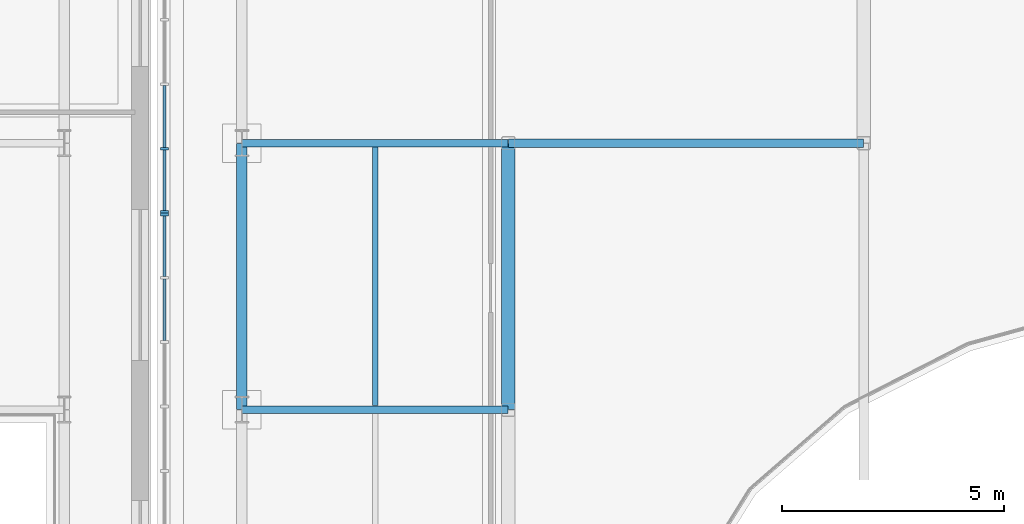
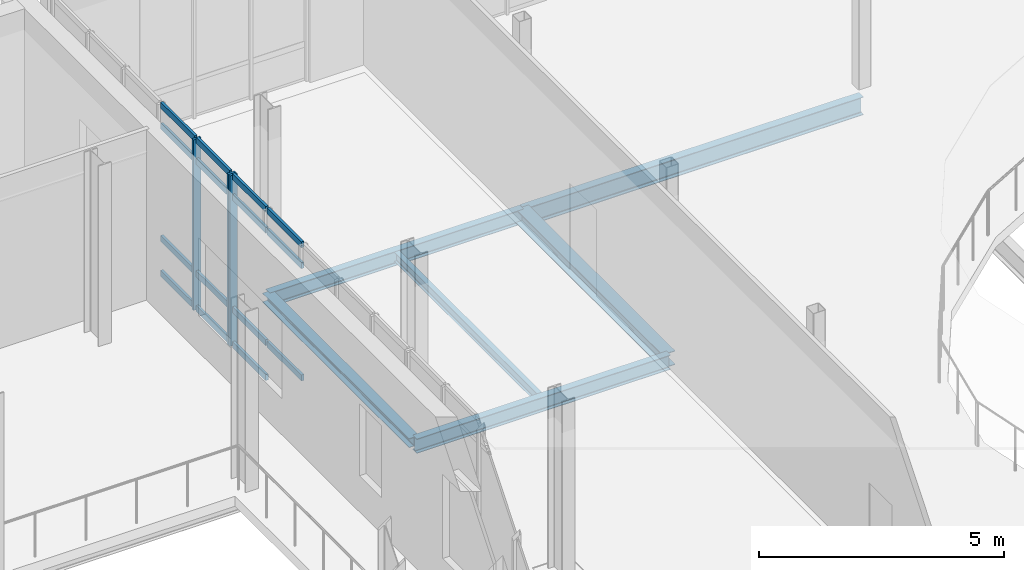
# One storey, part 17 of 100: 18 members, 6 beams, 2 elements without a shape of their own.
"""IFC4 building model written with IfcOpenShell, lengths in metres."""

import ifcopenshell
import ifcopenshell.guid

model = None  # the IFC model being written
_history = None  # IfcOwnerHistory: only IFC2X3 demands one
_inside = {}  # id of a spatial element -> (the spatial element, [elements in it])
_under = {}  # id of a project, library or spatial element -> (it, [spatial elements below it])
_declared = {}  # id of a project -> (the project, [libraries it declares])
_typed = {}  # id of a type object -> (the type object, [elements of that type])
_made_of = {}  # id of a material, layer set ... -> (it, [elements and type objects made of it])


def new_model(schema):
    """Start an empty IFC model of exactly this schema.

    Asked for "IFC4X3", IfcOpenShell would pick the latest addendum, in which some entities
    have other attributes; the version numbers below select the first issue.
    IFC2X3 requires an IfcOwnerHistory on every rooted entity: one is made here for all.
    """
    global model, _history
    if schema == "IFC4X3":
        model = ifcopenshell.file(schema_version=(4, 3, 0, 0))
    else:
        model = ifcopenshell.file(schema=schema)
    _inside.clear()
    _under.clear()
    _declared.clear()
    _typed.clear()
    _made_of.clear()
    _history = None
    if model.schema == "IFC2X3":
        org = make("IfcOrganization", Name="unknown")
        user = make(
            "IfcPersonAndOrganization",
            ThePerson=make("IfcPerson", FamilyName="unknown"),
            TheOrganization=org,
        )
        app = make(
            "IfcApplication",
            ApplicationDeveloper=org,
            Version="unknown",
            ApplicationFullName="unknown",
            ApplicationIdentifier="unknown",
        )
        _history = make(
            "IfcOwnerHistory",
            OwningUser=user,
            OwningApplication=app,
            ChangeAction="ADDED",
            CreationDate=0,
        )
    return model


def make(cls, **values):
    """One entity of the class cls with the attributes given. An attribute that is None is left unset."""
    return model.create_entity(
        cls, **{name: value for name, value in values.items() if value is not None}
    )


def rooted(cls, **values):
    """An entity with a GlobalId (a new one), such as an element, a storey or a relation."""
    return make(cls, GlobalId=ifcopenshell.guid.new(), OwnerHistory=_history, **values)


def si_unit(unit_type, name, prefix=None):
    """IfcSIUnit, for example si_unit("LENGTHUNIT", "METRE", prefix="MILLI")."""
    return make("IfcSIUnit", UnitType=unit_type, Prefix=prefix, Name=name)


def assignment(units):
    """IfcUnitAssignment: the units of a project."""
    return None if units is None else make("IfcUnitAssignment", Units=units)


def point(xyz):
    """IfcCartesianPoint."""
    return None if xyz is None else make("IfcCartesianPoint", Coordinates=xyz)


def direction(xyz):
    """IfcDirection."""
    return None if xyz is None else make("IfcDirection", DirectionRatios=xyz)


def frame(location, z_axis=None, x_axis=None):
    """IfcAxis2Placement3D, a coordinate frame: its origin and axes. An axis left out is left unset."""
    return make(
        "IfcAxis2Placement3D",
        Location=point(location),
        Axis=direction(z_axis),
        RefDirection=direction(x_axis),
    )


def frame_2d(location, x_axis=None):
    """IfcAxis2Placement2D, a coordinate frame in the plane: its origin and x axis."""
    return make(
        "IfcAxis2Placement2D", Location=point(location), RefDirection=direction(x_axis)
    )


def origin():
    """The frame at (0, 0, 0) with its axes left unset."""
    return frame((0.0, 0.0, 0.0))


def origin_2d():
    """The frame at (0, 0) in the plane with its x axis left unset."""
    return frame_2d((0.0, 0.0))


def place(relative_to, where):
    """IfcLocalPlacement: puts the frame where relative to a parent placement (None: the world)."""
    return make(
        "IfcLocalPlacement", PlacementRelTo=relative_to, RelativePlacement=where
    )


def context(
    kind, dimensions, precision=None, world=None, true_north=None, identifier=None
):
    """IfcGeometricRepresentationContext, for example the 3D "Model" context."""
    return make(
        "IfcGeometricRepresentationContext",
        ContextIdentifier=identifier,
        ContextType=kind,
        CoordinateSpaceDimension=dimensions,
        Precision=precision,
        WorldCoordinateSystem=world,
        TrueNorth=true_north,
    )


def subcontext(parent, identifier, kind, view, scale=None):
    """IfcGeometricRepresentationSubContext, for example "Body" below "Model"."""
    return make(
        "IfcGeometricRepresentationSubContext",
        ContextIdentifier=identifier,
        ContextType=kind,
        ParentContext=parent,
        TargetScale=scale,
        TargetView=view,
    )


def project(units=None, contexts=None):
    """IfcProject with its units and contexts."""
    return rooted(
        "IfcProject",
        Name="project",
        RepresentationContexts=contexts,
        UnitsInContext=assignment(units),
    )


def spatial(cls, under=None, at=None, **own):
    """A site, building, storey or space (cls), placed at a placement, below another one or the project."""
    s = rooted(cls, ObjectPlacement=at, **own)
    if under is not None:
        _under.setdefault(under.id(), (under, []))[1].append(s)
    return s


def profile(cls, at=None, kind="AREA", **sizes):
    """A parametric profile (cls). Its sizes go by their IFC names, for example OverallWidth=200.0."""
    return make(cls, ProfileType=kind, Position=at, **sizes)


def rectangle(**sizes):
    """IfcRectangleProfileDef."""
    return profile("IfcRectangleProfileDef", **sizes)


def i_section(**sizes):
    """IfcIShapeProfileDef."""
    return profile("IfcIShapeProfileDef", **sizes)


def extrude(swept, where, along, depth):
    """IfcExtrudedAreaSolid: the profile swept, set in the frame where, extruded along a direction by depth."""
    return make(
        "IfcExtrudedAreaSolid",
        SweptArea=swept,
        Position=where,
        ExtrudedDirection=direction(along),
        Depth=depth,
    )


def shape(context_of_items, identifier, shape_type, items):
    """IfcShapeRepresentation: the items that make up one representation, for example the "Body"."""
    return make(
        "IfcShapeRepresentation",
        ContextOfItems=context_of_items,
        RepresentationIdentifier=identifier,
        RepresentationType=shape_type,
        Items=items,
    )


def material(Name=None, Category=None):
    """IfcMaterial."""
    return make("IfcMaterial", Name=Name, Category=Category)


def material_profile(
    of_material, cross_section, Name=None, Category=None, Priority=None
):
    """IfcMaterialProfile: a cross section and its material."""
    return make(
        "IfcMaterialProfile",
        Name=Name,
        Material=of_material,
        Profile=cross_section,
        Priority=Priority,
        Category=Category,
    )


def profile_set(profiles, Name=None, composite=None):
    """IfcMaterialProfileSet."""
    return make(
        "IfcMaterialProfileSet",
        Name=Name,
        MaterialProfiles=profiles,
        CompositeProfile=composite,
    )


def made_of(thing, what):
    """Note that an element or type object is made of a material, layer set ...; save() writes the relation."""
    if what is not None:
        _made_of.setdefault(what.id(), (what, []))[1].append(thing)
    return thing


def type_object(cls, material=None, **own):
    """A type object (cls), such as IfcWallType, which elements share."""
    return made_of(rooted(cls, **own), material)


def element(
    cls,
    number,
    at=None,
    inside=None,
    cuts=None,
    type_object=None,
    material=None,
    context=None,
    identifier="Body",
    shape_type=None,
    held_by="IfcProductDefinitionShape",
    body=None,
    shapes=None,
    **own,
):
    """One element of the class cls, such as IfcWall. Its Tag is "e" and its number.

    at: its placement. inside: the storey or other place that contains it. cuts: it is an
    opening in that element (IfcRelVoidsElement). A single representation is given by context,
    identifier, shape_type and body (its items); several are given by shapes. held_by: the class
    of the entity that holds the representations. save() writes the other relations.
    """
    e = rooted(cls, Tag="e%d" % number, ObjectPlacement=at, **own)
    if body is not None:
        shapes = [shape(context, identifier, shape_type, body)]
    if shapes is not None:
        e.Representation = make(held_by, Representations=shapes)
    if inside is not None:
        _inside.setdefault(inside.id(), (inside, []))[1].append(e)
    if cuts is not None:
        rooted(
            "IfcRelVoidsElement", RelatingBuildingElement=cuts, RelatedOpeningElement=e
        )
    if type_object is not None:
        _typed.setdefault(type_object.id(), (type_object, []))[1].append(e)
    return made_of(e, material)


def aggregate(whole, parts):
    """IfcRelAggregates: a whole, such as a stair, and the parts it consists of."""
    return rooted("IfcRelAggregates", RelatingObject=whole, RelatedObjects=parts)


def save(model, path):
    """Write the relations noted so far, then the file.

    IfcRelAggregates (storeys below a building ...), IfcRelContainedInSpatialStructure (elements
    in a storey), IfcRelDefinesByType, IfcRelAssociatesMaterial and IfcRelDeclares: one each for
    every whole, place, type object, material and project.
    """
    for whole, parts in _under.values():
        aggregate(whole, parts)
    for where, things in _inside.values():
        rooted(
            "IfcRelContainedInSpatialStructure",
            RelatedElements=things,
            RelatingStructure=where,
        )
    for kind, things in _typed.values():
        rooted("IfcRelDefinesByType", RelatedObjects=things, RelatingType=kind)
    for what, things in _made_of.values():
        rooted("IfcRelAssociatesMaterial", RelatedObjects=things, RelatingMaterial=what)
    for by, libraries in _declared.values():
        rooted("IfcRelDeclares", RelatingContext=by, RelatedDefinitions=libraries)
    model.write(path)


model = new_model("IFC4")

# Units and contexts
model_context = context("Model", 3, precision=1e-05, world=origin(), true_north=direction((0.0, 1.0)))
body_context = subcontext(model_context, "Body", "Model", "MODEL_VIEW")
ifc_project = project(units=[si_unit("LENGTHUNIT", "METRE"), si_unit("AREAUNIT", "SQUARE_METRE"), si_unit("VOLUMEUNIT", "CUBIC_METRE"), si_unit("PLANEANGLEUNIT", "RADIAN"), si_unit("MASSUNIT", "GRAM", prefix="KILO")], contexts=[model_context])

# Site, building, storey
site_placement = place(None, origin())
site = spatial("IfcSite", under=ifc_project, at=site_placement, CompositionType="ELEMENT")
building_placement = place(site_placement, origin())
building = spatial("IfcBuilding", under=site, at=building_placement, Name="Cymarion Research Institute", CompositionType="ELEMENT")
storey_placement = place(building_placement, frame((0.0, 0.0, 4.800048828125)))
storey = spatial("IfcBuildingStorey", under=building, at=storey_placement, Name="L01", CompositionType="ELEMENT", Elevation=4.800048828125)

# Curtain wall, members
ifc_material_1 = material(Name="Anodised aluminium unitised curtain wall with Low-E glazing", Category="aluminium")
curtain_wall_type = type_object("IfcCurtainWallType", Name="UNITISED CURTAIN WALL CW14 7260X4250", PredefinedType="NOTDEFINED", material=ifc_material_1)
curtain_wall_1_placement = place(storey_placement, origin())
curtain_wall_1 = element("IfcCurtainWall", 1, at=curtain_wall_1_placement, inside=storey, type_object=curtain_wall_type, Name="L01 V2 unitised curtain wall CW14 #29", PredefinedType="NOTDEFINED")
ifc_material_2 = material(Name="Anodised aluminium framing", Category="aluminium")
ifc_material_profile_1 = material_profile(ifc_material_2, rectangle(XDim=0.06005859375, YDim=0.179931640625, at=origin_2d()), Name="ALU MULLION 60x180")
ifc_profile_set_1 = profile_set([ifc_material_profile_1], Name="Anodised aluminium framing")
member_type_1 = type_object("IfcMemberType", Name="CURTAIN WALL MULLION ML01 60X180", PredefinedType="MULLION", material=ifc_profile_set_1)
member_1_placement = place(storey_placement, frame((54.860107421875, 35.375244140625, 0.0), z_axis=(0.0, 0.0, 1.0), x_axis=(0.0, -1.0, 0.0)))
member_1 = element("IfcMember", 2, at=member_1_placement, type_object=member_type_1, Name="CW14 mullion 5", PredefinedType="MULLION", context=body_context, shape_type="SweptSolid", body=[
    extrude(rectangle(XDim=0.06005859375, YDim=0.179931640625, at=origin_2d()), origin(), (0.0, 0.0, 1.0), 4.25),
])
member_2_placement = place(storey_placement, frame((54.860107421875, 33.9541015625, 0.0), z_axis=(0.0, 0.0, 1.0), x_axis=(0.0, -1.0, 0.0)))
member_2 = element("IfcMember", 3, at=member_2_placement, type_object=member_type_1, Name="CW14 mullion 6", PredefinedType="MULLION", context=body_context, shape_type="SweptSolid", body=[
    extrude(rectangle(XDim=0.06005859375, YDim=0.179931640625, at=origin_2d()), origin(), (0.0, 0.0, 1.0), 4.25),
])

# Curtain wall, member
curtain_wall_2_placement = place(storey_placement, origin())
curtain_wall_2 = element("IfcCurtainWall", 4, at=curtain_wall_2_placement, inside=storey, type_object=curtain_wall_type, Name="L01 V2 unitised curtain wall CW14 #30", PredefinedType="NOTDEFINED")
member_3_placement = place(storey_placement, frame((54.860107421875, 33.89404296875, 0.0), z_axis=(0.0, 0.0, 1.0), x_axis=(0.0, -1.0, 0.0)))
member_3 = element("IfcMember", 5, at=member_3_placement, type_object=member_type_1, Name="CW14 mullion 1", PredefinedType="MULLION", context=body_context, shape_type="SweptSolid", body=[
    extrude(rectangle(XDim=0.06005859375, YDim=0.179931640625, at=origin_2d()), origin(), (0.0, 0.0, 1.0), 4.25),
])

# Member
ifc_material_profile_2 = material_profile(ifc_material_2, rectangle(XDim=0.06005859375, YDim=0.14990234375, at=origin_2d()), Name="ALU TRANSOM 60x150")
ifc_profile_set_2 = profile_set([ifc_material_profile_2], Name="Anodised aluminium framing")
member_type_2 = type_object("IfcMemberType", Name="CURTAIN WALL TRANSOM TR01 60X150", PredefinedType="USERDEFINED", material=ifc_profile_set_2)
member_4_placement = place(storey_placement, frame((54.860107421875, 36.79638671875, 0.030029296875), z_axis=(0.0, -1.0, 0.0), x_axis=(1.0, 0.0, 0.0)))
member_4 = element("IfcMember", 6, at=member_4_placement, type_object=member_type_2, Name="CW14 transom 4.1", ObjectType="TRANSOM", PredefinedType="USERDEFINED", context=body_context, shape_type="SweptSolid", body=[
    extrude(rectangle(XDim=0.06005859375, YDim=0.14990234375, at=origin_2d()), origin(), (0.0, 0.0, 1.0), 1.39111328125),
])

member_5_placement = place(storey_placement, frame((54.860107421875, 36.79638671875, 0.89990234375), z_axis=(0.0, -1.0, 0.0), x_axis=(1.0, 0.0, 0.0)))
member_5 = element("IfcMember", 7, at=member_5_placement, type_object=member_type_2, Name="CW14 transom 4.2", ObjectType="TRANSOM", PredefinedType="USERDEFINED", context=body_context, shape_type="SweptSolid", body=[
    extrude(rectangle(XDim=0.06005859375, YDim=0.14990234375, at=origin_2d()), origin(), (0.0, 0.0, 1.0), 1.39111328125),
])

member_6_placement = place(storey_placement, frame((54.860107421875, 36.79638671875, 3.699951171875), z_axis=(0.0, -1.0, 0.0), x_axis=(1.0, 0.0, 0.0)))
member_6 = element("IfcMember", 8, at=member_6_placement, type_object=member_type_2, Name="CW14 transom 4.3", ObjectType="TRANSOM", PredefinedType="USERDEFINED", context=body_context, shape_type="SweptSolid", body=[
    extrude(rectangle(XDim=0.06005859375, YDim=0.14990234375, at=origin_2d()), origin(), (0.0, 0.0, 1.0), 1.39111328125),
])

member_7_placement = place(storey_placement, frame((54.860107421875, 36.79638671875, 4.219970703125), z_axis=(0.0, -1.0, 0.0), x_axis=(1.0, 0.0, 0.0)))
member_7 = element("IfcMember", 9, at=member_7_placement, type_object=member_type_2, Name="CW14 transom 4.4", ObjectType="TRANSOM", PredefinedType="USERDEFINED", context=body_context, shape_type="SweptSolid", body=[
    extrude(rectangle(XDim=0.06005859375, YDim=0.14990234375, at=origin_2d()), origin(), (0.0, 0.0, 1.0), 1.39111328125),
])

member_8_placement = place(storey_placement, frame((54.860107421875, 35.34521484375, 0.030029296875), z_axis=(0.0, -1.0, 0.0), x_axis=(1.0, 0.0, 0.0)))
member_8 = element("IfcMember", 10, at=member_8_placement, type_object=member_type_2, Name="CW14 transom 5.1", ObjectType="TRANSOM", PredefinedType="USERDEFINED", context=body_context, shape_type="SweptSolid", body=[
    extrude(rectangle(XDim=0.06005859375, YDim=0.14990234375, at=origin_2d()), origin(), (0.0, 0.0, 1.0), 1.361328125),
])

member_9_placement = place(storey_placement, frame((54.860107421875, 35.34521484375, 0.89990234375), z_axis=(0.0, -1.0, 0.0), x_axis=(1.0, 0.0, 0.0)))
member_9 = element("IfcMember", 11, at=member_9_placement, type_object=member_type_2, Name="CW14 transom 5.2", ObjectType="TRANSOM", PredefinedType="USERDEFINED", context=body_context, shape_type="SweptSolid", body=[
    extrude(rectangle(XDim=0.06005859375, YDim=0.14990234375, at=origin_2d()), origin(), (0.0, 0.0, 1.0), 1.361328125),
])

member_10_placement = place(storey_placement, frame((54.860107421875, 35.34521484375, 3.699951171875), z_axis=(0.0, -1.0, 0.0), x_axis=(1.0, 0.0, 0.0)))
member_10 = element("IfcMember", 12, at=member_10_placement, type_object=member_type_2, Name="CW14 transom 5.3", ObjectType="TRANSOM", PredefinedType="USERDEFINED", context=body_context, shape_type="SweptSolid", body=[
    extrude(rectangle(XDim=0.06005859375, YDim=0.14990234375, at=origin_2d()), origin(), (0.0, 0.0, 1.0), 1.361328125),
])

member_11_placement = place(storey_placement, frame((54.860107421875, 35.34521484375, 4.219970703125), z_axis=(0.0, -1.0, 0.0), x_axis=(1.0, 0.0, 0.0)))
member_11 = element("IfcMember", 13, at=member_11_placement, type_object=member_type_2, Name="CW14 transom 5.4", ObjectType="TRANSOM", PredefinedType="USERDEFINED", context=body_context, shape_type="SweptSolid", body=[
    extrude(rectangle(XDim=0.06005859375, YDim=0.14990234375, at=origin_2d()), origin(), (0.0, 0.0, 1.0), 1.361328125),
])

aggregate(curtain_wall_1, [member_1, member_2, member_4, member_5, member_6, member_7, member_8, member_9, member_10, member_11])

member_12_placement = place(storey_placement, frame((54.860107421875, 33.864013671875, 0.030029296875), z_axis=(0.0, -1.0, 0.0), x_axis=(1.0, 0.0, 0.0)))
member_12 = element("IfcMember", 14, at=member_12_placement, type_object=member_type_2, Name="CW14 transom 1.1", ObjectType="TRANSOM", PredefinedType="USERDEFINED", context=body_context, shape_type="SweptSolid", body=[
    extrude(rectangle(XDim=0.06005859375, YDim=0.14990234375, at=origin_2d()), origin(), (0.0, 0.0, 1.0), 1.361328125),
])

member_13_placement = place(storey_placement, frame((54.860107421875, 33.864013671875, 0.89990234375), z_axis=(0.0, -1.0, 0.0), x_axis=(1.0, 0.0, 0.0)))
member_13 = element("IfcMember", 15, at=member_13_placement, type_object=member_type_2, Name="CW14 transom 1.2", ObjectType="TRANSOM", PredefinedType="USERDEFINED", context=body_context, shape_type="SweptSolid", body=[
    extrude(rectangle(XDim=0.06005859375, YDim=0.14990234375, at=origin_2d()), origin(), (0.0, 0.0, 1.0), 1.361328125),
])

member_14_placement = place(storey_placement, frame((54.860107421875, 33.864013671875, 3.699951171875), z_axis=(0.0, -1.0, 0.0), x_axis=(1.0, 0.0, 0.0)))
member_14 = element("IfcMember", 16, at=member_14_placement, type_object=member_type_2, Name="CW14 transom 1.3", ObjectType="TRANSOM", PredefinedType="USERDEFINED", context=body_context, shape_type="SweptSolid", body=[
    extrude(rectangle(XDim=0.06005859375, YDim=0.14990234375, at=origin_2d()), origin(), (0.0, 0.0, 1.0), 1.361328125),
])

member_15_placement = place(storey_placement, frame((54.860107421875, 33.864013671875, 4.219970703125), z_axis=(0.0, -1.0, 0.0), x_axis=(1.0, 0.0, 0.0)))
member_15 = element("IfcMember", 17, at=member_15_placement, type_object=member_type_2, Name="CW14 transom 1.4", ObjectType="TRANSOM", PredefinedType="USERDEFINED", context=body_context, shape_type="SweptSolid", body=[
    extrude(rectangle(XDim=0.06005859375, YDim=0.14990234375, at=origin_2d()), origin(), (0.0, 0.0, 1.0), 1.361328125),
])

member_16_placement = place(storey_placement, frame((54.860107421875, 32.44287109375, 0.89990234375), z_axis=(0.0, -1.0, 0.0), x_axis=(1.0, 0.0, 0.0)))
member_16 = element("IfcMember", 18, at=member_16_placement, type_object=member_type_2, Name="CW14 transom 2.2", ObjectType="TRANSOM", PredefinedType="USERDEFINED", context=body_context, shape_type="SweptSolid", body=[
    extrude(rectangle(XDim=0.06005859375, YDim=0.14990234375, at=origin_2d()), origin(), (0.0, 0.0, 1.0), 1.391357421875),
])

member_17_placement = place(storey_placement, frame((54.860107421875, 32.44287109375, 3.699951171875), z_axis=(0.0, -1.0, 0.0), x_axis=(1.0, 0.0, 0.0)))
member_17 = element("IfcMember", 19, at=member_17_placement, type_object=member_type_2, Name="CW14 transom 2.3", ObjectType="TRANSOM", PredefinedType="USERDEFINED", context=body_context, shape_type="SweptSolid", body=[
    extrude(rectangle(XDim=0.06005859375, YDim=0.14990234375, at=origin_2d()), origin(), (0.0, 0.0, 1.0), 1.391357421875),
])

member_18_placement = place(storey_placement, frame((54.860107421875, 32.44287109375, 4.219970703125), z_axis=(0.0, -1.0, 0.0), x_axis=(1.0, 0.0, 0.0)))
member_18 = element("IfcMember", 20, at=member_18_placement, type_object=member_type_2, Name="CW14 transom 2.4", ObjectType="TRANSOM", PredefinedType="USERDEFINED", context=body_context, shape_type="SweptSolid", body=[
    extrude(rectangle(XDim=0.06005859375, YDim=0.14990234375, at=origin_2d()), origin(), (0.0, 0.0, 1.0), 1.391357421875),
])

aggregate(curtain_wall_2, [member_3, member_12, member_13, member_14, member_15, member_16, member_17, member_18])

# Beams
ifc_material_3 = material(Name="Steel S355", Category="steel")
ifc_material_profile_3 = material_profile(ifc_material_3, i_section(OverallWidth=0.18994140625, OverallDepth=0.449951171875, WebThickness=0.009521484375, FlangeThickness=0.0146484375, FilletRadius=0.02099609375, at=origin_2d()), Name="IPE 450")
ifc_profile_set_3 = profile_set([ifc_material_profile_3], Name="Steel S355")
beam_type_1 = type_object("IfcBeamType", Name="PRIMARY GIRDER BM04 IPE 450", PredefinedType="BEAM", material=ifc_profile_set_3)
beam_1_placement = place(storey_placement, frame((62.60595703125, 35.5, -0.47509765625), z_axis=(1.0, 0.0, 0.0), x_axis=(0.0, 1.0, 0.0)))
element("IfcBeam", 21, at=beam_1_placement, inside=storey, type_object=beam_type_1, Name="L01 V2 girder BM04 #481", PredefinedType="BEAM", context=body_context, shape_type="SweptSolid", body=[
    extrude(i_section(OverallWidth=0.18994140625, OverallDepth=0.449951171875, WebThickness=0.009521484375, FlangeThickness=0.0146484375, FilletRadius=0.02099609375, at=origin_2d()), origin(), (0.0, 0.0, 1.0), 7.988037109375),
])
ifc_material_profile_4 = material_profile(ifc_material_3, i_section(OverallWidth=0.169921875, OverallDepth=0.360107421875, WebThickness=0.008056640625, FlangeThickness=0.0126953125, FilletRadius=0.01806640625, at=origin_2d()), Name="IPE 360")
ifc_profile_set_4 = profile_set([ifc_material_profile_4], Name="Steel S355")
beam_type_2 = type_object("IfcBeamType", Name="PRIMARY GIRDER BM06 IPE 360", PredefinedType="BEAM", material=ifc_profile_set_4)
for number, where, z_axis, x_axis, name in (
    (22, (56.60595703125, 29.5, -0.429931640625), (1.0, 0.0, 0.0), (0.0, 1.0, 0.0), "L01 V2 girder BM06 #478"),
    (23, (56.60595703125, 35.5, -0.429931640625), (1.0, 0.0, 0.0), (0.0, 1.0, 0.0), "L01 V2 girder BM06 #480"),
):
    element("IfcBeam", number, at=place(storey_placement, frame(where, z_axis=z_axis, x_axis=x_axis)), inside=storey, type_object=beam_type_2, Name=name, PredefinedType="BEAM", context=body_context, shape_type="SweptSolid", body=[
        extrude(i_section(OverallWidth=0.169921875, OverallDepth=0.360107421875, WebThickness=0.008056640625, FlangeThickness=0.0126953125, FilletRadius=0.01806640625, at=origin_2d()), origin(), (0.0, 0.0, 1.0), 5.988037109375),
    ])
ifc_material_profile_5 = material_profile(ifc_material_3, i_section(OverallWidth=0.300048828125, OverallDepth=0.35009765625, WebThickness=0.010009765625, FlangeThickness=0.017578125, FilletRadius=0.027099609375, at=origin_2d()), Name="HEA 360")
ifc_profile_set_5 = profile_set([ifc_material_profile_5], Name="Steel S355")
beam_type_3 = type_object("IfcBeamType", Name="PRIMARY GIRDER BM12 HEA 360", PredefinedType="BEAM", material=ifc_profile_set_5)
beam_2_placement = place(storey_placement, frame((62.60009765625, 29.506103515625, -0.425048828125), z_axis=(0.0, 1.0, 0.0), x_axis=(-1.0, 0.0, 0.0)))
element("IfcBeam", 24, at=beam_2_placement, inside=storey, type_object=beam_type_3, Name="L01 V2 girder BM12 #505", PredefinedType="BEAM", context=body_context, shape_type="SweptSolid", body=[
    extrude(i_section(OverallWidth=0.300048828125, OverallDepth=0.35009765625, WebThickness=0.010009765625, FlangeThickness=0.017578125, FilletRadius=0.027099609375, at=origin_2d()), origin(), (0.0, 0.0, 1.0), 5.98779296875),
])
ifc_material_profile_6 = material_profile(ifc_material_3, i_section(OverallWidth=0.1201171875, OverallDepth=0.239990234375, WebThickness=0.006103515625, FlangeThickness=0.009765625, FilletRadius=0.014892578125, at=origin_2d()), Name="IPE 240")
ifc_profile_set_6 = profile_set([ifc_material_profile_6], Name="Steel S355")
beam_type_4 = type_object("IfcBeamType", Name="SECONDARY JOIST JS04 IPE 240", PredefinedType="JOIST", material=ifc_profile_set_6)
beam_3_placement = place(storey_placement, frame((59.60009765625, 29.589111328125, -0.3701171875), z_axis=(0.0, 1.0, 0.0), x_axis=(-1.0, 0.0, 0.0)))
element("IfcBeam", 25, at=beam_3_placement, inside=storey, type_object=beam_type_4, Name="L01 V2 secondary joist JS04 #532", PredefinedType="JOIST", context=body_context, shape_type="SweptSolid", body=[
    extrude(i_section(OverallWidth=0.1201171875, OverallDepth=0.239990234375, WebThickness=0.006103515625, FlangeThickness=0.009765625, FilletRadius=0.014892578125, at=origin_2d()), origin(), (0.0, 0.0, 1.0), 5.82177734375),
])
ifc_material_profile_7 = material_profile(ifc_material_3, i_section(OverallWidth=0.239990234375, OverallDepth=0.22998046875, WebThickness=0.007568359375, FlangeThickness=0.011962890625, FilletRadius=0.02099609375, at=origin_2d()), Name="HEA 240")
ifc_profile_set_7 = profile_set([ifc_material_profile_7], Name="Steel S355")
beam_type_5 = type_object("IfcBeamType", Name="SPANDREL BEAM SPB03 HEA 240", PredefinedType="SPANDREL", material=ifc_profile_set_7)
beam_4_placement = place(storey_placement, frame((56.60009765625, 29.506103515625, -0.364990234375), z_axis=(0.0, 1.0, 0.0), x_axis=(-1.0, 0.0, 0.0)))
element("IfcBeam", 26, at=beam_4_placement, inside=storey, type_object=beam_type_5, Name="L01 V2 girder SPB03 #500", PredefinedType="SPANDREL", context=body_context, shape_type="SweptSolid", body=[
    extrude(i_section(OverallWidth=0.239990234375, OverallDepth=0.22998046875, WebThickness=0.007568359375, FlangeThickness=0.011962890625, FilletRadius=0.02099609375, at=origin_2d()), origin(), (0.0, 0.0, 1.0), 5.98779296875),
])

save(model, "model.ifc")
